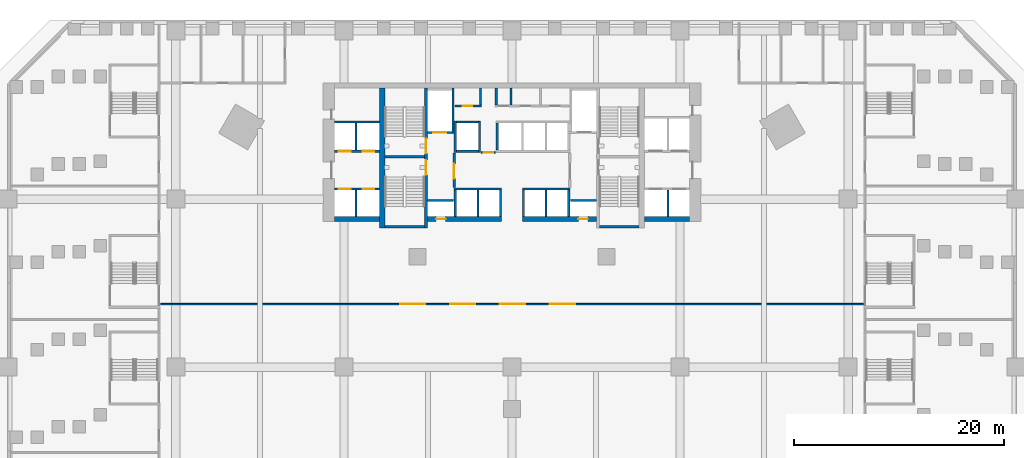
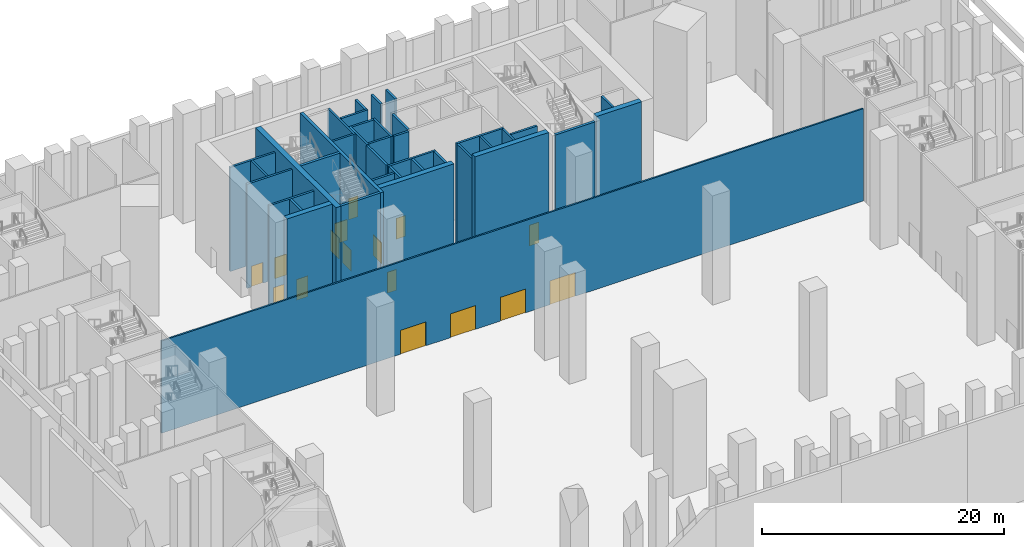
# One storey, part 8 of 31: 39 walls, 16 doors, 16 openings.
"""IFC4 building model written with IfcOpenShell, lengths in metres."""

from ifc_helpers import new_model, si_unit, direction, frame, frame_2d, origin, place, context, subcontext, project, spatial, rectangle, extrude, material, layer, layer_set, type_object, element, fill, save


model = new_model("IFC4")

# Units and contexts
model_context = context("Model", 3, precision=1e-05, world=origin(), true_north=direction((0.0, 1.0)))
body_context = subcontext(model_context, "Body", "Model", "MODEL_VIEW")
ifc_project = project(units=[si_unit("LENGTHUNIT", "METRE"), si_unit("AREAUNIT", "SQUARE_METRE"), si_unit("VOLUMEUNIT", "CUBIC_METRE"), si_unit("PLANEANGLEUNIT", "RADIAN"), si_unit("MASSUNIT", "GRAM", prefix="KILO")], contexts=[model_context])

# Site, building, storey
site_placement = place(None, origin())
site = spatial("IfcSite", under=ifc_project, at=site_placement, CompositionType="ELEMENT")
building_placement = place(site_placement, origin())
building = spatial("IfcBuilding", under=site, at=building_placement, Name="Calabash Gate Tower", CompositionType="ELEMENT")
storey_placement = place(building_placement, frame((0.0, 0.0, 9.0)))
storey = spatial("IfcBuildingStorey", under=building, at=storey_placement, Name="L01", CompositionType="ELEMENT", Elevation=9.0)

# Walls
ifc_material_1 = material(Name="Gypsum board on steel studs, mineral wool", Category="steel")
ifc_layer_1 = layer(ifc_material_1, 0.199951171875)
ifc_layer_set_1 = layer_set([ifc_layer_1], Name="Core partition 200 gypsum board")
wall_type_1 = type_object("IfcWallType", Name="Core partition 200 gypsum board", PredefinedType="PARTITIONING", material=ifc_layer_set_1)
for number, where, z_axis, x_axis, name in (
    (1, (-3.0, 16.95263671875, 0.0), (0.0, 0.0, 1.0), (0.0, 1.0, 0.0), "Core partition"),
    (2, (-1.5, 16.95263671875, 0.0), (0.0, 0.0, 1.0), (0.0, 1.0, 0.0), "Core partition"),
    (3, (-0.10009765625, 16.95263671875, 0.0), (0.0, 0.0, 1.0), (0.0, 1.0, 0.0), "Core partition"),
):
    element("IfcWall", number, at=place(storey_placement, frame(where, z_axis=z_axis, x_axis=x_axis)), inside=storey, type_object=wall_type_1, Name=name, PredefinedType="PARTITIONING", context=body_context, shape_type="SweptSolid", body=[
        extrude(rectangle(XDim=1.599853515625, YDim=0.199951171875, at=frame_2d((0.7998046875, 0.0))), origin(), (0.0, 0.0, 1.0), 10.5),
    ])
ifc_material_2 = material(Name="Concrete C80/95", Category="concrete")
ifc_layer_2 = layer(ifc_material_2, 0.25)
ifc_layer_set_2 = layer_set([ifc_layer_2], Name="Core wall 250 Concrete C80/95")
wall_type_2 = type_object("IfcWallType", Name="Core wall 250 Concrete C80/95", PredefinedType="SHEAR", material=ifc_layer_set_2)
for number, where, z_axis, x_axis, name in (
    (4, (-12.10009765625, 12.027587890625, 0.0), (0.0, 0.0, 1.0), (1.0, 0.0, 0.0), "Core wall Z0-MIDW L01"),
    (5, (-12.10009765625, 5.377685546875, 0.0), (0.0, 0.0, 1.0), (1.0, 0.0, 0.0), "Core wall Z0-SSW L01"),
    (6, (8.35009765625, 5.377685546875, 0.0), (0.0, 0.0, 1.0), (1.0, 0.0, 0.0), "Core wall Z0-SSE L01"),
):
    element("IfcWall", number, at=place(storey_placement, frame(where, z_axis=z_axis, x_axis=x_axis)), inside=storey, type_object=wall_type_2, Name=name, PredefinedType="SHEAR", context=body_context, shape_type="SweptSolid", body=[
        extrude(rectangle(XDim=3.75, YDim=0.25, at=frame_2d((1.875, 0.0))), origin(), (0.0, 0.0, 1.0), 11.0),
    ])

# Wall, openings, doors
ifc_material_3 = material(Name="Concrete C80/95", Category="concrete")
ifc_layer_3 = layer(ifc_material_3, 0.300048828125)
ifc_layer_set_3 = layer_set([ifc_layer_3], Name="Core wall 300 Concrete C80/95")
wall_type_3 = type_object("IfcWallType", Name="Core wall 300 Concrete C80/95", PredefinedType="SHEAR", material=ifc_layer_set_3)
wall_1_placement = place(storey_placement, frame((-8.199951171875, 5.252685546875, 0.0), z_axis=(0.0, 0.0, 1.0), x_axis=(0.0, 1.0, 0.0)))
wall_1 = element("IfcWall", 7, at=wall_1_placement, inside=storey, type_object=wall_type_3, Name="Core wall Z0-PARTW L01", PredefinedType="SHEAR", context=body_context, shape_type="SweptSolid", body=[
    extrude(rectangle(XDim=13.2998046875, YDim=0.300048828125, at=frame_2d((6.64990234375, 0.0))), origin(), (0.0, 0.0, 1.0), 11.0),
])
opening_1_placement = place(wall_1_placement, frame((7.10009765625, 0.0, 0.0)))
opening_1 = element("IfcOpeningElement", 8, at=opening_1_placement, cuts=wall_1, Name="Opening L01-001", PredefinedType="OPENING", context=body_context, shape_type="SweptSolid", body=[
    extrude(rectangle(XDim=1.39990234375, YDim=2.10009765625, at=frame_2d((0.699951171875, 1.050048828125))), frame((0.0, 0.159912109375, 0.0), z_axis=(0.0, -1.0, 0.0), x_axis=(1.0, 0.0, 0.0)), (0.0, 0.0, 1.0), 0.320068359375),
])
opening_2_placement = place(wall_1_placement, frame((5.050048828125, 0.0, 0.0)))
opening_2 = element("IfcOpeningElement", 9, at=opening_2_placement, cuts=wall_1, Name="Opening L01-002", PredefinedType="OPENING", context=body_context, shape_type="SweptSolid", body=[
    extrude(rectangle(XDim=1.39990234375, YDim=2.10009765625, at=frame_2d((0.699951171875, 1.050048828125))), frame((0.0, 0.159912109375, 0.0), z_axis=(0.0, -1.0, 0.0), x_axis=(1.0, 0.0, 0.0)), (0.0, 0.0, 1.0), 0.320068359375),
])
ifc_material_4 = material(Name="Steel fire door set with fire-resisting glazing", Category="steel")
door_type_1 = type_object("IfcDoorType", Name="Fire door D05 1400x2100 FD90", OperationType="NOTDEFINED", PredefinedType="DOOR", material=ifc_material_4)
door_1_placement = place(opening_1_placement, origin())
door_1 = element("IfcDoor", 10, at=door_1_placement, inside=storey, type_object=door_type_1, Name="Exit stair door ST1", OperationType="SINGLE_SWING_LEFT", OverallHeight=2.10009765625, OverallWidth=1.39990234375, PredefinedType="DOOR", context=body_context, shape_type="SweptSolid", body=[
    extrude(rectangle(XDim=1.39990234375, YDim=2.10009765625, at=frame_2d((0.699951171875, 1.050048828125))), frame((0.0, 0.02490234375, 0.0), z_axis=(0.0, -1.0, 0.0), x_axis=(1.0, 0.0, 0.0)), (0.0, 0.0, 1.0), 0.050048828125),
])
fill(opening_1, door_1)
door_2_placement = place(opening_2_placement, origin())
door_2 = element("IfcDoor", 11, at=door_2_placement, inside=storey, type_object=door_type_1, Name="Exit stair door ST2", OperationType="SINGLE_SWING_LEFT", OverallHeight=2.10009765625, OverallWidth=1.39990234375, PredefinedType="DOOR", context=body_context, shape_type="SweptSolid", body=[
    extrude(rectangle(XDim=1.39990234375, YDim=2.10009765625, at=frame_2d((0.699951171875, 1.050048828125))), frame((0.0, 0.02490234375, 0.0), z_axis=(0.0, -1.0, 0.0), x_axis=(1.0, 0.0, 0.0)), (0.0, 0.0, 1.0), 0.050048828125),
])
fill(opening_2, door_2)

# Wall
ifc_material_5 = material(Name="Concrete C80/95", Category="concrete")
ifc_layer_4 = layer(ifc_material_5, 0.5)
ifc_layer_set_4 = layer_set([ifc_layer_4], Name="Core wall 500 Concrete C80/95")
wall_type_4 = type_object("IfcWallType", Name="Core wall 500 Concrete C80/95", PredefinedType="SHEAR", material=ifc_layer_set_4)
wall_2_placement = place(storey_placement, frame((-12.35009765625, 5.252685546875, 0.0), z_axis=(0.0, 0.0, 1.0), x_axis=(0.0, 1.0, 0.0)))
element("IfcWall", 12, at=wall_2_placement, inside=storey, type_object=wall_type_4, Name="Core wall Z0-COLW L01", PredefinedType="SHEAR", context=body_context, shape_type="SweptSolid", body=[
    extrude(rectangle(XDim=13.2998046875, YDim=0.5, at=frame_2d((6.64990234375, 0.0))), origin(), (0.0, 0.0, 1.0), 11.0),
])

# Wall, opening, door
wall_3_placement = place(storey_placement, frame((-8.050048828125, 6.1025390625, 0.0), z_axis=(0.0, 0.0, 1.0), x_axis=(1.0, 0.0, 0.0)))
wall_3 = element("IfcWall", 13, at=wall_3_placement, inside=storey, type_object=wall_type_4, Name="Core wall Z0-SA L01", PredefinedType="SHEAR", context=body_context, shape_type="SweptSolid", body=[
    extrude(rectangle(XDim=7.050048828125, YDim=0.5, at=frame_2d((3.52490234375, 0.0))), origin(), (0.0, 0.0, 1.0), 11.0),
])
opening_3_placement = place(wall_3_placement, frame((0.824951171875, 0.0, 0.0)))
opening_3 = element("IfcOpeningElement", 14, at=opening_3_placement, cuts=wall_3, Name="Opening L01-012", PredefinedType="OPENING", context=body_context, shape_type="SweptSolid", body=[
    extrude(rectangle(XDim=0.89990234375, YDim=2.10009765625, at=frame_2d((0.449951171875, 1.050048828125))), frame((0.0, 0.260009765625, 0.0), z_axis=(0.0, -1.0, 0.0), x_axis=(1.0, 0.0, 0.0)), (0.0, 0.0, 1.0), 0.52001953125),
])
ifc_material_6 = material(Name="Steel fire door set with fire-resisting glazing", Category="steel")
door_type_2 = type_object("IfcDoorType", Name="Fire door D07 900x2100 FD90", OperationType="NOTDEFINED", PredefinedType="DOOR", material=ifc_material_6)
door_3_placement = place(opening_3_placement, origin())
door_3 = element("IfcDoor", 15, at=door_3_placement, inside=storey, type_object=door_type_2, Name="Electrical Riser W door", OperationType="SINGLE_SWING_LEFT", OverallHeight=2.10009765625, OverallWidth=0.89990234375, PredefinedType="DOOR", context=body_context, shape_type="SweptSolid", body=[
    extrude(rectangle(XDim=0.89990234375, YDim=2.10009765625, at=frame_2d((0.449951171875, 1.050048828125))), frame((0.0, 0.02490234375, 0.0), z_axis=(0.0, -1.0, 0.0), x_axis=(1.0, 0.0, 0.0)), (0.0, 0.0, 1.0), 0.050048828125),
])
fill(opening_3, door_3)

wall_4_placement = place(storey_placement, frame((1.0, 6.1025390625, 0.0), z_axis=(0.0, 0.0, 1.0), x_axis=(1.0, 0.0, 0.0)))
wall_4 = element("IfcWall", 16, at=wall_4_placement, inside=storey, type_object=wall_type_4, Name="Core wall Z0-SB L01", PredefinedType="SHEAR", context=body_context, shape_type="SweptSolid", body=[
    extrude(rectangle(XDim=7.050048828125, YDim=0.5, at=frame_2d((3.52490234375, 0.0))), origin(), (0.0, 0.0, 1.0), 11.0),
])
opening_4_placement = place(wall_4_placement, frame((5.324951171875, 0.0, 0.0)))
opening_4 = element("IfcOpeningElement", 17, at=opening_4_placement, cuts=wall_4, Name="Opening L01-013", PredefinedType="OPENING", context=body_context, shape_type="SweptSolid", body=[
    extrude(rectangle(XDim=0.89990234375, YDim=2.10009765625, at=frame_2d((0.449951171875, 1.050048828125))), frame((0.0, 0.260009765625, 0.0), z_axis=(0.0, -1.0, 0.0), x_axis=(1.0, 0.0, 0.0)), (0.0, 0.0, 1.0), 0.52001953125),
])
door_4_placement = place(opening_4_placement, origin())
door_4 = element("IfcDoor", 18, at=door_4_placement, inside=storey, type_object=door_type_2, Name="Mechanical Riser E door", OperationType="SINGLE_SWING_RIGHT", OverallHeight=2.10009765625, OverallWidth=0.89990234375, PredefinedType="DOOR", context=body_context, shape_type="SweptSolid", body=[
    extrude(rectangle(XDim=0.89990234375, YDim=2.10009765625, at=frame_2d((0.449951171875, 1.050048828125))), frame((0.0, 0.02490234375, 0.0), z_axis=(0.0, -1.0, 0.0), x_axis=(1.0, 0.0, 0.0)), (0.0, 0.0, 1.0), 0.050048828125),
])
fill(opening_4, door_4)

# Walls
for number, where, z_axis, x_axis, name in (
    (19, (-12.60009765625, 6.1025390625, 0.0), (0.0, 0.0, 1.0), (-1.0, 0.0, 0.0), "Core wall Z0-SW L01"),
    (20, (12.60009765625, 6.1025390625, 0.0), (0.0, 0.0, 1.0), (1.0, 0.0, 0.0), "Core wall Z0-SE L01"),
):
    element("IfcWall", number, at=place(storey_placement, frame(where, z_axis=z_axis, x_axis=x_axis)), inside=storey, type_object=wall_type_4, Name=name, PredefinedType="SHEAR", context=body_context, shape_type="SweptSolid", body=[
        extrude(rectangle(XDim=4.2998046875, YDim=0.5, at=frame_2d((2.14990234375, 0.0))), origin(), (0.0, 0.0, 1.0), 11.0),
    ])

# Wall, openings, doors
ifc_material_7 = material(Name="Gypsum board on steel studs, mineral wool", Category="steel")
ifc_layer_5 = layer(ifc_material_7, 0.14990234375)
ifc_layer_set_5 = layer_set([ifc_layer_5], Name="Partition 150 gypsum board")
wall_type_5 = type_object("IfcWallType", Name="Partition 150 gypsum board", PredefinedType="PARTITIONING", material=ifc_layer_set_5)
wall_5_placement = place(storey_placement, frame((-33.4599609375, -2.0, 0.0), z_axis=(0.0, 0.0, 1.0), x_axis=(1.0, 0.0, 0.0)))
wall_5 = element("IfcWall", 21, at=wall_5_placement, inside=storey, type_object=wall_type_5, Name="Partition", PredefinedType="PARTITIONING", context=body_context, shape_type="SweptSolid", body=[
    extrude(rectangle(XDim=66.919921875, YDim=0.14990234375, at=frame_2d((33.4599609375, 0.0))), origin(), (0.0, 0.0, 1.0), 9.300048828125),
])
opening_5_placement = place(wall_5_placement, frame((32.30908203125, 0.0, 0.0)))
opening_5 = element("IfcOpeningElement", 22, at=opening_5_placement, cuts=wall_5, Name="Opening L01-044", PredefinedType="OPENING", context=body_context, shape_type="SweptSolid", body=[
    extrude(rectangle(XDim=2.39990234375, YDim=2.39990234375, at=frame_2d((1.199951171875, 1.199951171875))), frame((0.0, 0.0849609375, 0.0), z_axis=(0.0, -1.0, 0.0), x_axis=(1.0, 0.0, 0.0)), (0.0, 0.0, 1.0), 0.169921875),
])
opening_6_placement = place(wall_5_placement, frame((27.55908203125, 0.0, 0.0)))
opening_6 = element("IfcOpeningElement", 23, at=opening_6_placement, cuts=wall_5, Name="Opening L01-045", PredefinedType="OPENING", context=body_context, shape_type="SweptSolid", body=[
    extrude(rectangle(XDim=2.39990234375, YDim=2.39990234375, at=frame_2d((1.199951171875, 1.199951171875))), frame((0.0, 0.0849609375, 0.0), z_axis=(0.0, -1.0, 0.0), x_axis=(1.0, 0.0, 0.0)), (0.0, 0.0, 1.0), 0.169921875),
])
opening_7_placement = place(wall_5_placement, frame((37.05908203125, 0.0, 0.0)))
opening_7 = element("IfcOpeningElement", 24, at=opening_7_placement, cuts=wall_5, Name="Opening L01-046", PredefinedType="OPENING", context=body_context, shape_type="SweptSolid", body=[
    extrude(rectangle(XDim=2.39990234375, YDim=2.39990234375, at=frame_2d((1.199951171875, 1.199951171875))), frame((0.0, 0.0849609375, 0.0), z_axis=(0.0, -1.0, 0.0), x_axis=(1.0, 0.0, 0.0)), (0.0, 0.0, 1.0), 0.169921875),
])
opening_8_placement = place(wall_5_placement, frame((22.80908203125, 0.0, 0.0)))
opening_8 = element("IfcOpeningElement", 25, at=opening_8_placement, cuts=wall_5, Name="Opening L01-047", PredefinedType="OPENING", context=body_context, shape_type="SweptSolid", body=[
    extrude(rectangle(XDim=2.39990234375, YDim=2.39990234375, at=frame_2d((1.199951171875, 1.199951171875))), frame((0.0, 0.0849609375, 0.0), z_axis=(0.0, -1.0, 0.0), x_axis=(1.0, 0.0, 0.0)), (0.0, 0.0, 1.0), 0.169921875),
])
ifc_material_8 = material(Name="Steel fire door set with fire-resisting glazing", Category="steel")
door_type_3 = type_object("IfcDoorType", Name="Double fire door D20 2400x2400 FD60", OperationType="DOUBLE_DOOR_SINGLE_SWING", PredefinedType="DOOR", material=ifc_material_8)
door_5_placement = place(opening_5_placement, origin())
door_5 = element("IfcDoor", 26, at=door_5_placement, inside=storey, type_object=door_type_3, Name="Exhibition Hall door", OperationType="DOUBLE_DOOR_SINGLE_SWING", OverallHeight=2.39990234375, OverallWidth=2.39990234375, PredefinedType="DOOR", context=body_context, shape_type="SweptSolid", body=[
    extrude(rectangle(XDim=2.39990234375, YDim=2.39990234375, at=frame_2d((1.199951171875, 1.199951171875))), frame((0.0, 0.02490234375, 0.0), z_axis=(0.0, -1.0, 0.0), x_axis=(1.0, 0.0, 0.0)), (0.0, 0.0, 1.0), 0.050048828125),
])
fill(opening_5, door_5)
door_6_placement = place(opening_6_placement, origin())
door_6 = element("IfcDoor", 27, at=door_6_placement, inside=storey, type_object=door_type_3, Name="Exhibition Hall door", OperationType="DOUBLE_DOOR_SINGLE_SWING", OverallHeight=2.39990234375, OverallWidth=2.39990234375, PredefinedType="DOOR", context=body_context, shape_type="SweptSolid", body=[
    extrude(rectangle(XDim=2.39990234375, YDim=2.39990234375, at=frame_2d((1.199951171875, 1.199951171875))), frame((0.0, 0.02490234375, 0.0), z_axis=(0.0, -1.0, 0.0), x_axis=(1.0, 0.0, 0.0)), (0.0, 0.0, 1.0), 0.050048828125),
])
fill(opening_6, door_6)
door_7_placement = place(opening_7_placement, origin())
door_7 = element("IfcDoor", 28, at=door_7_placement, inside=storey, type_object=door_type_3, Name="Exhibition Hall door", OperationType="DOUBLE_DOOR_SINGLE_SWING", OverallHeight=2.39990234375, OverallWidth=2.39990234375, PredefinedType="DOOR", context=body_context, shape_type="SweptSolid", body=[
    extrude(rectangle(XDim=2.39990234375, YDim=2.39990234375, at=frame_2d((1.199951171875, 1.199951171875))), frame((0.0, 0.02490234375, 0.0), z_axis=(0.0, -1.0, 0.0), x_axis=(1.0, 0.0, 0.0)), (0.0, 0.0, 1.0), 0.050048828125),
])
fill(opening_7, door_7)
door_8_placement = place(opening_8_placement, origin())
door_8 = element("IfcDoor", 29, at=door_8_placement, inside=storey, type_object=door_type_3, Name="Exhibition Hall door", OperationType="DOUBLE_DOOR_SINGLE_SWING", OverallHeight=2.39990234375, OverallWidth=2.39990234375, PredefinedType="DOOR", context=body_context, shape_type="SweptSolid", body=[
    extrude(rectangle(XDim=2.39990234375, YDim=2.39990234375, at=frame_2d((1.199951171875, 1.199951171875))), frame((0.0, 0.02490234375, 0.0), z_axis=(0.0, -1.0, 0.0), x_axis=(1.0, 0.0, 0.0)), (0.0, 0.0, 1.0), 0.050048828125),
])
fill(opening_8, door_8)

# Walls
ifc_material_9 = material(Name="Concrete C40/50", Category="concrete")
ifc_layer_6 = layer(ifc_material_9, 0.199951171875)
ifc_layer_set_6 = layer_set([ifc_layer_6], Name="Shaft wall 200 Concrete C40/50")
wall_type_6 = type_object("IfcWallType", Name="Shaft wall 200 Concrete C40/50", PredefinedType="SOLIDWALL", material=ifc_layer_set_6)
for number, where, z_axis, x_axis, name in (
    (30, (-14.85009765625, 6.3525390625, 0.0), (0.0, 0.0, 1.0), (0.0, 1.0, 0.0), "Shaft wall"),
    (31, (-5.39990234375, 6.3525390625, 0.0), (0.0, 0.0, 1.0), (0.0, 1.0, 0.0), "Shaft wall"),
    (32, (-3.25, 6.3525390625, 0.0), (0.0, 0.0, 1.0), (0.0, 1.0, 0.0), "Shaft wall"),
    (33, (-1.10009765625, 6.3525390625, 0.0), (0.0, 0.0, 1.0), (0.0, 1.0, 0.0), "Shaft wall"),
    (34, (1.10009765625, 6.3525390625, 0.0), (0.0, 0.0, 1.0), (0.0, 1.0, 0.0), "Shaft wall"),
    (35, (3.25, 6.3525390625, 0.0), (0.0, 0.0, 1.0), (0.0, 1.0, 0.0), "Shaft wall"),
    (36, (5.39990234375, 6.3525390625, 0.0), (0.0, 0.0, 1.0), (0.0, 1.0, 0.0), "Shaft wall"),
    (37, (14.85009765625, 6.3525390625, 0.0), (0.0, 0.0, 1.0), (0.0, 1.0, 0.0), "Shaft wall"),
    (38, (-8.050048828125, 7.8525390625, 0.0), (0.0, 0.0, 1.0), (1.0, 0.0, 0.0), "Shaft wall"),
    (39, (5.550048828125, 7.8525390625, 0.0), (0.0, 0.0, 1.0), (1.0, 0.0, 0.0), "Shaft wall"),
):
    element("IfcWall", number, at=place(storey_placement, frame(where, z_axis=z_axis, x_axis=x_axis)), inside=storey, type_object=wall_type_6, Name=name, PredefinedType="SOLIDWALL", context=body_context, shape_type="SweptSolid", body=[
        extrude(rectangle(XDim=2.5, YDim=0.199951171875, at=frame_2d((1.25, 0.0))), origin(), (0.0, 0.0, 1.0), 10.5),
    ])

# Wall, openings, doors
wall_6_placement = place(storey_placement, frame((-16.89990234375, 8.95263671875, 0.0), z_axis=(0.0, 0.0, 1.0), x_axis=(1.0, 0.0, 0.0)))
wall_6 = element("IfcWall", 40, at=wall_6_placement, inside=storey, type_object=wall_type_6, Name="Shaft wall", PredefinedType="SOLIDWALL", context=body_context, shape_type="SweptSolid", body=[
    extrude(rectangle(XDim=4.2998046875, YDim=0.199951171875, at=frame_2d((2.14990234375, 0.0))), origin(), (0.0, 0.0, 1.0), 10.5),
])
opening_9_placement = place(wall_6_placement, frame((2.675048828125, 0.0, 0.0)))
opening_9 = element("IfcOpeningElement", 41, at=opening_9_placement, cuts=wall_6, Name="Opening LD-LR1", PredefinedType="OPENING", context=body_context, shape_type="SweptSolid", body=[
    extrude(rectangle(XDim=1.10009765625, YDim=2.10009765625, at=frame_2d((0.550048828125, 1.050048828125))), frame((0.0, 0.10986328125, 0.0), z_axis=(0.0, -1.0, 0.0), x_axis=(1.0, 0.0, 0.0)), (0.0, 0.0, 1.0), 0.219970703125),
])
opening_10_placement = place(wall_6_placement, frame((0.425048828125, 0.0, 0.0)))
opening_10 = element("IfcOpeningElement", 42, at=opening_10_placement, cuts=wall_6, Name="Opening LD-LR2", PredefinedType="OPENING", context=body_context, shape_type="SweptSolid", body=[
    extrude(rectangle(XDim=1.10009765625, YDim=2.10009765625, at=frame_2d((0.550048828125, 1.050048828125))), frame((0.0, 0.10986328125, 0.0), z_axis=(0.0, -1.0, 0.0), x_axis=(1.0, 0.0, 0.0)), (0.0, 0.0, 1.0), 0.219970703125),
])
ifc_material_10 = material(Name="Stainless steel sliding door leaves", Category="steel")
door_type_4 = type_object("IfcDoorType", Name="Lift landing door LS1 1100x2100 FD90", OperationType="DOUBLE_DOOR_SLIDING", PredefinedType="DOOR", material=ifc_material_10)
door_9_placement = place(opening_9_placement, origin())
door_9 = element("IfcDoor", 43, at=door_9_placement, inside=storey, type_object=door_type_4, Name="Lift landing door LR1", OperationType="DOUBLE_DOOR_SLIDING", OverallHeight=2.10009765625, OverallWidth=1.10009765625, PredefinedType="DOOR", context=body_context, shape_type="SweptSolid", body=[
    extrude(rectangle(XDim=1.10009765625, YDim=2.10009765625, at=frame_2d((0.550048828125, 1.050048828125))), frame((0.0, 0.02490234375, 0.0), z_axis=(0.0, -1.0, 0.0), x_axis=(1.0, 0.0, 0.0)), (0.0, 0.0, 1.0), 0.050048828125),
])
fill(opening_9, door_9)
door_10_placement = place(opening_10_placement, origin())
door_10 = element("IfcDoor", 44, at=door_10_placement, inside=storey, type_object=door_type_4, Name="Lift landing door LR2", OperationType="DOUBLE_DOOR_SLIDING", OverallHeight=2.10009765625, OverallWidth=1.10009765625, PredefinedType="DOOR", context=body_context, shape_type="SweptSolid", body=[
    extrude(rectangle(XDim=1.10009765625, YDim=2.10009765625, at=frame_2d((0.550048828125, 1.050048828125))), frame((0.0, 0.02490234375, 0.0), z_axis=(0.0, -1.0, 0.0), x_axis=(1.0, 0.0, 0.0)), (0.0, 0.0, 1.0), 0.050048828125),
])
fill(opening_10, door_10)

# Walls
for number, where, z_axis, x_axis, name in (
    (45, (-5.5, 8.95263671875, 0.0), (0.0, 0.0, 1.0), (1.0, 0.0, 0.0), "Shaft wall"),
    (46, (1.0, 8.95263671875, 0.0), (0.0, 0.0, 1.0), (1.0, 0.0, 0.0), "Shaft wall"),
):
    element("IfcWall", number, at=place(storey_placement, frame(where, z_axis=z_axis, x_axis=x_axis)), inside=storey, type_object=wall_type_6, Name=name, PredefinedType="SOLIDWALL", context=body_context, shape_type="SweptSolid", body=[
        extrude(rectangle(XDim=4.5, YDim=0.199951171875, at=frame_2d((2.25, 0.0))), origin(), (0.0, 0.0, 1.0), 10.5),
    ])

# Wall, opening, door
wall_7_placement = place(storey_placement, frame((-5.5, 9.1025390625, 0.0), z_axis=(0.0, 0.0, 1.0), x_axis=(0.0, 1.0, 0.0)))
wall_7 = element("IfcWall", 47, at=wall_7_placement, inside=storey, type_object=wall_type_6, Name="Shaft wall", PredefinedType="SOLIDWALL", context=body_context, shape_type="SweptSolid", body=[
    extrude(rectangle(XDim=3.300048828125, YDim=0.199951171875, at=frame_2d((1.64990234375, 0.0))), origin(), (0.0, 0.0, 1.0), 10.5),
])
opening_11_placement = place(wall_7_placement, frame((0.85009765625, 0.0, 0.0)))
opening_11 = element("IfcOpeningElement", 48, at=opening_11_placement, cuts=wall_7, Name="Opening L01-006", PredefinedType="OPENING", context=body_context, shape_type="SweptSolid", body=[
    extrude(rectangle(XDim=1.39990234375, YDim=2.10009765625, at=frame_2d((0.699951171875, 1.050048828125))), frame((0.0, 0.10986328125, 0.0), z_axis=(0.0, -1.0, 0.0), x_axis=(1.0, 0.0, 0.0)), (0.0, 0.0, 1.0), 0.219970703125),
])
door_11_placement = place(opening_11_placement, origin())
door_11 = element("IfcDoor", 49, at=door_11_placement, inside=storey, type_object=door_type_1, Name="Firefighting Lobby W door", OperationType="SINGLE_SWING_RIGHT", OverallHeight=2.10009765625, OverallWidth=1.39990234375, PredefinedType="DOOR", context=body_context, shape_type="SweptSolid", body=[
    extrude(rectangle(XDim=1.39990234375, YDim=2.10009765625, at=frame_2d((0.699951171875, 1.050048828125))), frame((0.0, 0.02490234375, 0.0), z_axis=(0.0, -1.0, 0.0), x_axis=(1.0, 0.0, 0.0)), (0.0, 0.0, 1.0), 0.050048828125),
])
fill(opening_11, door_11)

wall_8_placement = place(storey_placement, frame((-2.949951171875, 12.45263671875, 0.0), z_axis=(0.0, 0.0, 1.0), x_axis=(1.0, 0.0, 0.0)))
wall_8 = element("IfcWall", 50, at=wall_8_placement, inside=storey, type_object=wall_type_6, Name="Shaft wall", PredefinedType="SOLIDWALL", context=body_context, shape_type="SweptSolid", body=[
    extrude(rectangle(XDim=1.39990234375, YDim=0.199951171875, at=frame_2d((0.699951171875, 0.0))), origin(), (0.0, 0.0, 1.0), 10.5),
])
opening_12_placement = place(wall_8_placement, frame((0.25, 0.0, 0.0)))
opening_12 = element("IfcOpeningElement", 51, at=opening_12_placement, cuts=wall_8, Name="Opening L01-005", PredefinedType="OPENING", context=body_context, shape_type="SweptSolid", body=[
    extrude(rectangle(XDim=0.89990234375, YDim=2.10009765625, at=frame_2d((0.449951171875, 1.050048828125))), frame((0.0, 0.10986328125, 0.0), z_axis=(0.0, -1.0, 0.0), x_axis=(1.0, 0.0, 0.0)), (0.0, 0.0, 1.0), 0.219970703125),
])
ifc_material_11 = material(Name="Steel fire door set with fire-resisting glazing", Category="steel")
door_type_5 = type_object("IfcDoorType", Name="Fire door D06 900x2100 FD60", OperationType="NOTDEFINED", PredefinedType="DOOR", material=ifc_material_11)
door_12_placement = place(opening_12_placement, origin())
door_12 = element("IfcDoor", 52, at=door_12_placement, inside=storey, type_object=door_type_5, Name="Service Corridor door", OperationType="SINGLE_SWING_RIGHT", OverallHeight=2.10009765625, OverallWidth=0.89990234375, PredefinedType="DOOR", context=body_context, shape_type="SweptSolid", body=[
    extrude(rectangle(XDim=0.89990234375, YDim=2.10009765625, at=frame_2d((0.449951171875, 1.050048828125))), frame((0.0, 0.02490234375, 0.0), z_axis=(0.0, -1.0, 0.0), x_axis=(1.0, 0.0, 0.0)), (0.0, 0.0, 1.0), 0.050048828125),
])
fill(opening_12, door_12)

# Wall, openings, doors
wall_9_placement = place(storey_placement, frame((-16.89990234375, 12.552490234375, 0.0), z_axis=(0.0, 0.0, 1.0), x_axis=(1.0, 0.0, 0.0)))
wall_9 = element("IfcWall", 53, at=wall_9_placement, inside=storey, type_object=wall_type_6, Name="Shaft wall", PredefinedType="SOLIDWALL", context=body_context, shape_type="SweptSolid", body=[
    extrude(rectangle(XDim=4.2998046875, YDim=0.199951171875, at=frame_2d((2.14990234375, 0.0))), origin(), (0.0, 0.0, 1.0), 10.5),
])
opening_13_placement = place(wall_9_placement, frame((2.675048828125, 0.0, 0.0)))
opening_13 = element("IfcOpeningElement", 54, at=opening_13_placement, cuts=wall_9, Name="Opening LD-LR3", PredefinedType="OPENING", context=body_context, shape_type="SweptSolid", body=[
    extrude(rectangle(XDim=1.10009765625, YDim=2.10009765625, at=frame_2d((0.550048828125, 1.050048828125))), frame((0.0, 0.10986328125, 0.0), z_axis=(0.0, -1.0, 0.0), x_axis=(1.0, 0.0, 0.0)), (0.0, 0.0, 1.0), 0.219970703125),
])
opening_14_placement = place(wall_9_placement, frame((0.425048828125, 0.0, 0.0)))
opening_14 = element("IfcOpeningElement", 55, at=opening_14_placement, cuts=wall_9, Name="Opening LD-LR4", PredefinedType="OPENING", context=body_context, shape_type="SweptSolid", body=[
    extrude(rectangle(XDim=1.10009765625, YDim=2.10009765625, at=frame_2d((0.550048828125, 1.050048828125))), frame((0.0, 0.10986328125, 0.0), z_axis=(0.0, -1.0, 0.0), x_axis=(1.0, 0.0, 0.0)), (0.0, 0.0, 1.0), 0.219970703125),
])
door_13_placement = place(opening_13_placement, origin())
door_13 = element("IfcDoor", 56, at=door_13_placement, inside=storey, type_object=door_type_4, Name="Lift landing door LR3", OperationType="DOUBLE_DOOR_SLIDING", OverallHeight=2.10009765625, OverallWidth=1.10009765625, PredefinedType="DOOR", context=body_context, shape_type="SweptSolid", body=[
    extrude(rectangle(XDim=1.10009765625, YDim=2.10009765625, at=frame_2d((0.550048828125, 1.050048828125))), frame((0.0, 0.02490234375, 0.0), z_axis=(0.0, -1.0, 0.0), x_axis=(1.0, 0.0, 0.0)), (0.0, 0.0, 1.0), 0.050048828125),
])
fill(opening_13, door_13)
door_14_placement = place(opening_14_placement, origin())
door_14 = element("IfcDoor", 57, at=door_14_placement, inside=storey, type_object=door_type_4, Name="Lift landing door LR4", OperationType="DOUBLE_DOOR_SLIDING", OverallHeight=2.10009765625, OverallWidth=1.10009765625, PredefinedType="DOOR", context=body_context, shape_type="SweptSolid", body=[
    extrude(rectangle(XDim=1.10009765625, YDim=2.10009765625, at=frame_2d((0.550048828125, 1.050048828125))), frame((0.0, 0.02490234375, 0.0), z_axis=(0.0, -1.0, 0.0), x_axis=(1.0, 0.0, 0.0)), (0.0, 0.0, 1.0), 0.050048828125),
])
fill(opening_14, door_14)

# Walls
wall_10_placement = place(storey_placement, frame((-5.39990234375, 12.45263671875, 0.0), z_axis=(0.0, 0.0, 1.0), x_axis=(0.0, 1.0, 0.0)))
element("IfcWall", 58, at=wall_10_placement, inside=storey, type_object=wall_type_6, Name="Shaft wall", PredefinedType="SOLIDWALL", context=body_context, shape_type="SweptSolid", body=[
    extrude(rectangle(XDim=3.0, YDim=0.199951171875, at=frame_2d((1.5, 0.0))), origin(), (0.0, 0.0, 1.0), 10.5),
])
wall_11_placement = place(storey_placement, frame((-5.300048828125, 12.552490234375, 0.0), z_axis=(0.0, 0.0, 1.0), x_axis=(1.0, 0.0, 0.0)))
element("IfcWall", 59, at=wall_11_placement, inside=storey, type_object=wall_type_6, Name="Shaft wall", PredefinedType="SOLIDWALL", context=body_context, shape_type="SweptSolid", body=[
    extrude(rectangle(XDim=2.10009765625, YDim=0.199951171875, at=frame_2d((1.050048828125, 0.0))), origin(), (0.0, 0.0, 1.0), 10.5),
])
wall_12_placement = place(storey_placement, frame((-3.10009765625, 12.45263671875, 0.0), z_axis=(0.0, 0.0, 1.0), x_axis=(0.0, 1.0, 0.0)))
element("IfcWall", 60, at=wall_12_placement, inside=storey, type_object=wall_type_6, Name="Shaft wall", PredefinedType="SOLIDWALL", context=body_context, shape_type="SweptSolid", body=[
    extrude(rectangle(XDim=3.0, YDim=0.199951171875, at=frame_2d((1.5, 0.0))), origin(), (0.0, 0.0, 1.0), 10.5),
])
for number, where, z_axis, x_axis, name in (
    (61, (-14.85009765625, 12.652587890625, 0.0), (0.0, 0.0, 1.0), (0.0, 1.0, 0.0), "Shaft wall"),
    (62, (-1.39990234375, 12.652587890625, 0.0), (0.0, 0.0, 1.0), (0.0, 1.0, 0.0), "Shaft wall"),
):
    element("IfcWall", number, at=place(storey_placement, frame(where, z_axis=z_axis, x_axis=x_axis)), inside=storey, type_object=wall_type_6, Name=name, PredefinedType="SOLIDWALL", context=body_context, shape_type="SweptSolid", body=[
        extrude(rectangle(XDim=2.60009765625, YDim=0.199951171875, at=frame_2d((1.300048828125, 0.0))), origin(), (0.0, 0.0, 1.0), 10.5),
    ])

# Wall, opening, door
wall_13_placement = place(storey_placement, frame((-8.050048828125, 14.3525390625, 0.0), z_axis=(0.0, 0.0, 1.0), x_axis=(1.0, 0.0, 0.0)))
wall_13 = element("IfcWall", 63, at=wall_13_placement, inside=storey, type_object=wall_type_6, Name="Shaft wall", PredefinedType="SOLIDWALL", context=body_context, shape_type="SweptSolid", body=[
    extrude(rectangle(XDim=2.35009765625, YDim=0.199951171875, at=frame_2d((1.175048828125, 0.0))), origin(), (0.0, 0.0, 1.0), 10.5),
])
opening_15_placement = place(wall_13_placement, frame((0.574951171875, 0.0, 0.0)))
opening_15 = element("IfcOpeningElement", 64, at=opening_15_placement, cuts=wall_13, Name="Opening LD-FF1", PredefinedType="OPENING", context=body_context, shape_type="SweptSolid", body=[
    extrude(rectangle(XDim=1.199951171875, YDim=2.10009765625, at=frame_2d((0.60009765625, 1.050048828125))), frame((0.0, 0.10986328125, 0.0), z_axis=(0.0, -1.0, 0.0), x_axis=(1.0, 0.0, 0.0)), (0.0, 0.0, 1.0), 0.219970703125),
])
ifc_material_12 = material(Name="Stainless steel sliding door leaves", Category="steel")
door_type_6 = type_object("IfcDoorType", Name="Lift landing door LS3 1200x2100 FD90", OperationType="DOUBLE_DOOR_SLIDING", PredefinedType="DOOR", material=ifc_material_12)
door_15_placement = place(opening_15_placement, origin())
door_15 = element("IfcDoor", 65, at=door_15_placement, inside=storey, type_object=door_type_6, Name="Lift landing door FF1", OperationType="DOUBLE_DOOR_SLIDING", OverallHeight=2.10009765625, OverallWidth=1.199951171875, PredefinedType="DOOR", context=body_context, shape_type="SweptSolid", body=[
    extrude(rectangle(XDim=1.199951171875, YDim=2.10009765625, at=frame_2d((0.60009765625, 1.050048828125))), frame((0.0, 0.02490234375, 0.0), z_axis=(0.0, -1.0, 0.0), x_axis=(1.0, 0.0, 0.0)), (0.0, 0.0, 1.0), 0.050048828125),
])
fill(opening_15, door_15)

# Walls
for number, where, z_axis, x_axis, name in (
    (66, (-5.60009765625, 14.252685546875, 0.0), (0.0, 0.0, 1.0), (0.0, 1.0, 0.0), "Shaft wall"),
    (67, (-16.89990234375, 15.3525390625, 0.0), (0.0, 0.0, 1.0), (1.0, 0.0, 0.0), "Shaft wall"),
):
    element("IfcWall", number, at=place(storey_placement, frame(where, z_axis=z_axis, x_axis=x_axis)), inside=storey, type_object=wall_type_6, Name=name, PredefinedType="SOLIDWALL", context=body_context, shape_type="SweptSolid", body=[
        extrude(rectangle(XDim=4.2998046875, YDim=0.199951171875, at=frame_2d((2.14990234375, 0.0))), origin(), (0.0, 0.0, 1.0), 10.5),
    ])
wall_14_placement = place(storey_placement, frame((-5.300048828125, 15.3525390625, 0.0), z_axis=(0.0, 0.0, 1.0), x_axis=(1.0, 0.0, 0.0)))
element("IfcWall", 68, at=wall_14_placement, inside=storey, type_object=wall_type_6, Name="Shaft wall", PredefinedType="SOLIDWALL", context=body_context, shape_type="SweptSolid", body=[
    extrude(rectangle(XDim=2.10009765625, YDim=0.199951171875, at=frame_2d((1.050048828125, 0.0))), origin(), (0.0, 0.0, 1.0), 10.5),
])

# Wall, opening, door
wall_15_placement = place(storey_placement, frame((-5.449951171875, 16.8525390625, 0.0), z_axis=(0.0, 0.0, 1.0), x_axis=(1.0, 0.0, 0.0)))
wall_15 = element("IfcWall", 69, at=wall_15_placement, inside=storey, type_object=wall_type_6, Name="Shaft wall", PredefinedType="SOLIDWALL", context=body_context, shape_type="SweptSolid", body=[
    extrude(rectangle(XDim=2.550048828125, YDim=0.199951171875, at=frame_2d((1.27490234375, 0.0))), origin(), (0.0, 0.0, 1.0), 10.5),
])
opening_16_placement = place(wall_15_placement, frame((0.75, 0.0, 0.0)))
opening_16 = element("IfcOpeningElement", 70, at=opening_16_placement, cuts=wall_15, Name="Opening L01-008", PredefinedType="OPENING", context=body_context, shape_type="SweptSolid", body=[
    extrude(rectangle(XDim=0.89990234375, YDim=2.10009765625, at=frame_2d((0.449951171875, 1.050048828125))), frame((0.0, 0.10986328125, 0.0), z_axis=(0.0, -1.0, 0.0), x_axis=(1.0, 0.0, 0.0)), (0.0, 0.0, 1.0), 0.219970703125),
])
door_16_placement = place(opening_16_placement, origin())
door_16 = element("IfcDoor", 71, at=door_16_placement, inside=storey, type_object=door_type_5, Name="Accessible WC door", OperationType="SINGLE_SWING_LEFT", OverallHeight=2.10009765625, OverallWidth=0.89990234375, PredefinedType="DOOR", context=body_context, shape_type="SweptSolid", body=[
    extrude(rectangle(XDim=0.89990234375, YDim=2.10009765625, at=frame_2d((0.449951171875, 1.050048828125))), frame((0.0, 0.02490234375, 0.0), z_axis=(0.0, -1.0, 0.0), x_axis=(1.0, 0.0, 0.0)), (0.0, 0.0, 1.0), 0.050048828125),
])
fill(opening_16, door_16)

save(model, "model.ifc")
